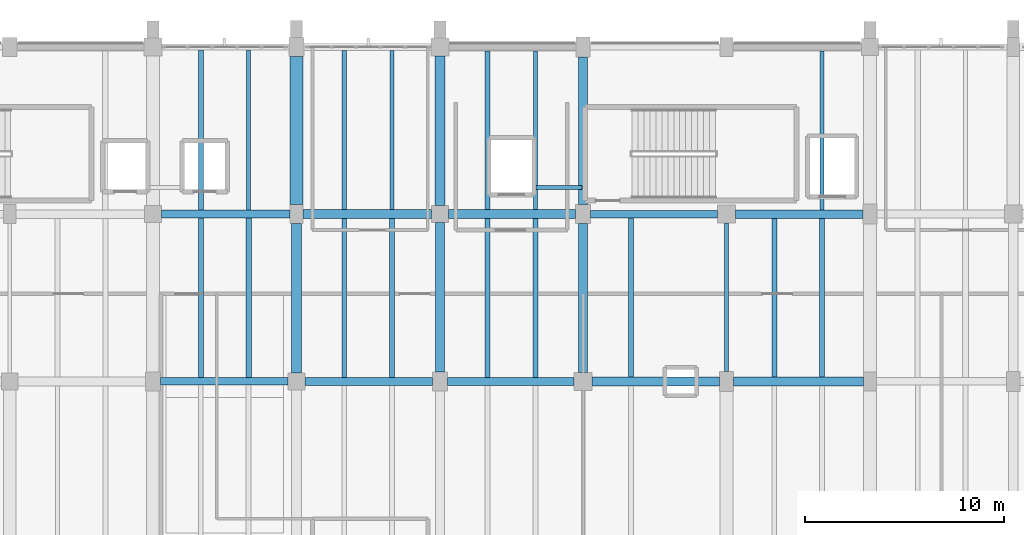
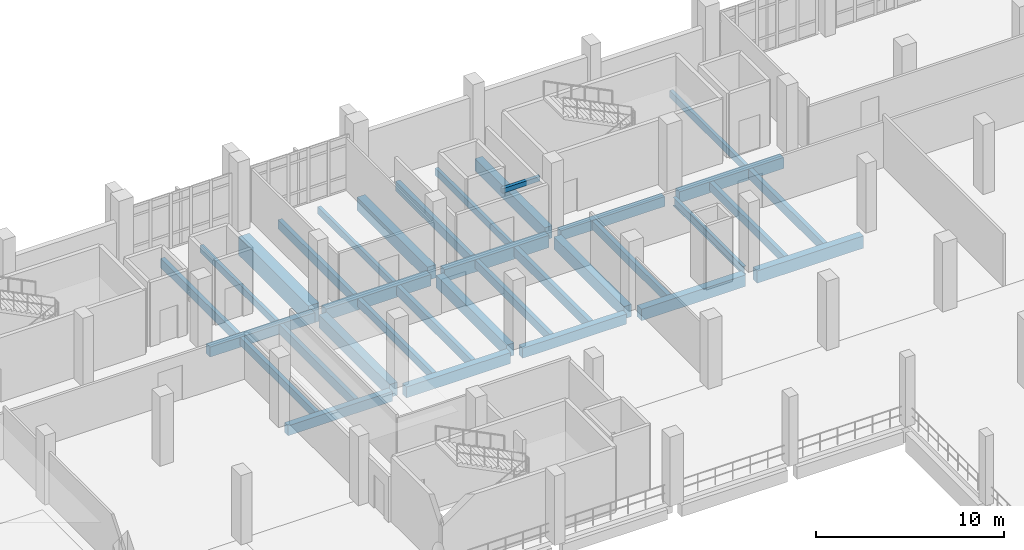
# One storey, part 56 of 134: 34 beams.
"""IFC4 building model written with IfcOpenShell, lengths in metres."""

import ifcopenshell
import ifcopenshell.guid

model = None  # the IFC model being written
_history = None  # IfcOwnerHistory: only IFC2X3 demands one
_inside = {}  # id of a spatial element -> (the spatial element, [elements in it])
_under = {}  # id of a project, library or spatial element -> (it, [spatial elements below it])
_declared = {}  # id of a project -> (the project, [libraries it declares])
_typed = {}  # id of a type object -> (the type object, [elements of that type])
_made_of = {}  # id of a material, layer set ... -> (it, [elements and type objects made of it])


def new_model(schema):
    """Start an empty IFC model of exactly this schema.

    Asked for "IFC4X3", IfcOpenShell would pick the latest addendum, in which some entities
    have other attributes; the version numbers below select the first issue.
    IFC2X3 requires an IfcOwnerHistory on every rooted entity: one is made here for all.
    """
    global model, _history
    if schema == "IFC4X3":
        model = ifcopenshell.file(schema_version=(4, 3, 0, 0))
    else:
        model = ifcopenshell.file(schema=schema)
    _inside.clear()
    _under.clear()
    _declared.clear()
    _typed.clear()
    _made_of.clear()
    _history = None
    if model.schema == "IFC2X3":
        org = make("IfcOrganization", Name="unknown")
        user = make(
            "IfcPersonAndOrganization",
            ThePerson=make("IfcPerson", FamilyName="unknown"),
            TheOrganization=org,
        )
        app = make(
            "IfcApplication",
            ApplicationDeveloper=org,
            Version="unknown",
            ApplicationFullName="unknown",
            ApplicationIdentifier="unknown",
        )
        _history = make(
            "IfcOwnerHistory",
            OwningUser=user,
            OwningApplication=app,
            ChangeAction="ADDED",
            CreationDate=0,
        )
    return model


def make(cls, **values):
    """One entity of the class cls with the attributes given. An attribute that is None is left unset."""
    return model.create_entity(
        cls, **{name: value for name, value in values.items() if value is not None}
    )


def rooted(cls, **values):
    """An entity with a GlobalId (a new one), such as an element, a storey or a relation."""
    return make(cls, GlobalId=ifcopenshell.guid.new(), OwnerHistory=_history, **values)


def si_unit(unit_type, name, prefix=None):
    """IfcSIUnit, for example si_unit("LENGTHUNIT", "METRE", prefix="MILLI")."""
    return make("IfcSIUnit", UnitType=unit_type, Prefix=prefix, Name=name)


def assignment(units):
    """IfcUnitAssignment: the units of a project."""
    return None if units is None else make("IfcUnitAssignment", Units=units)


def point(xyz):
    """IfcCartesianPoint."""
    return None if xyz is None else make("IfcCartesianPoint", Coordinates=xyz)


def direction(xyz):
    """IfcDirection."""
    return None if xyz is None else make("IfcDirection", DirectionRatios=xyz)


def frame(location, z_axis=None, x_axis=None):
    """IfcAxis2Placement3D, a coordinate frame: its origin and axes. An axis left out is left unset."""
    return make(
        "IfcAxis2Placement3D",
        Location=point(location),
        Axis=direction(z_axis),
        RefDirection=direction(x_axis),
    )


def frame_2d(location, x_axis=None):
    """IfcAxis2Placement2D, a coordinate frame in the plane: its origin and x axis."""
    return make(
        "IfcAxis2Placement2D", Location=point(location), RefDirection=direction(x_axis)
    )


def origin():
    """The frame at (0, 0, 0) with its axes left unset."""
    return frame((0.0, 0.0, 0.0))


def origin_2d():
    """The frame at (0, 0) in the plane with its x axis left unset."""
    return frame_2d((0.0, 0.0))


def place(relative_to, where):
    """IfcLocalPlacement: puts the frame where relative to a parent placement (None: the world)."""
    return make(
        "IfcLocalPlacement", PlacementRelTo=relative_to, RelativePlacement=where
    )


def context(
    kind, dimensions, precision=None, world=None, true_north=None, identifier=None
):
    """IfcGeometricRepresentationContext, for example the 3D "Model" context."""
    return make(
        "IfcGeometricRepresentationContext",
        ContextIdentifier=identifier,
        ContextType=kind,
        CoordinateSpaceDimension=dimensions,
        Precision=precision,
        WorldCoordinateSystem=world,
        TrueNorth=true_north,
    )


def subcontext(parent, identifier, kind, view, scale=None):
    """IfcGeometricRepresentationSubContext, for example "Body" below "Model"."""
    return make(
        "IfcGeometricRepresentationSubContext",
        ContextIdentifier=identifier,
        ContextType=kind,
        ParentContext=parent,
        TargetScale=scale,
        TargetView=view,
    )


def project(units=None, contexts=None):
    """IfcProject with its units and contexts."""
    return rooted(
        "IfcProject",
        Name="project",
        RepresentationContexts=contexts,
        UnitsInContext=assignment(units),
    )


def spatial(cls, under=None, at=None, **own):
    """A site, building, storey or space (cls), placed at a placement, below another one or the project."""
    s = rooted(cls, ObjectPlacement=at, **own)
    if under is not None:
        _under.setdefault(under.id(), (under, []))[1].append(s)
    return s


def profile(cls, at=None, kind="AREA", **sizes):
    """A parametric profile (cls). Its sizes go by their IFC names, for example OverallWidth=200.0."""
    return make(cls, ProfileType=kind, Position=at, **sizes)


def rectangle(**sizes):
    """IfcRectangleProfileDef."""
    return profile("IfcRectangleProfileDef", **sizes)


def i_section(**sizes):
    """IfcIShapeProfileDef."""
    return profile("IfcIShapeProfileDef", **sizes)


def extrude(swept, where, along, depth):
    """IfcExtrudedAreaSolid: the profile swept, set in the frame where, extruded along a direction by depth."""
    return make(
        "IfcExtrudedAreaSolid",
        SweptArea=swept,
        Position=where,
        ExtrudedDirection=direction(along),
        Depth=depth,
    )


def shape(context_of_items, identifier, shape_type, items):
    """IfcShapeRepresentation: the items that make up one representation, for example the "Body"."""
    return make(
        "IfcShapeRepresentation",
        ContextOfItems=context_of_items,
        RepresentationIdentifier=identifier,
        RepresentationType=shape_type,
        Items=items,
    )


def material(Name=None, Category=None):
    """IfcMaterial."""
    return make("IfcMaterial", Name=Name, Category=Category)


def material_profile(
    of_material, cross_section, Name=None, Category=None, Priority=None
):
    """IfcMaterialProfile: a cross section and its material."""
    return make(
        "IfcMaterialProfile",
        Name=Name,
        Material=of_material,
        Profile=cross_section,
        Priority=Priority,
        Category=Category,
    )


def profile_set(profiles, Name=None, composite=None):
    """IfcMaterialProfileSet."""
    return make(
        "IfcMaterialProfileSet",
        Name=Name,
        MaterialProfiles=profiles,
        CompositeProfile=composite,
    )


def made_of(thing, what):
    """Note that an element or type object is made of a material, layer set ...; save() writes the relation."""
    if what is not None:
        _made_of.setdefault(what.id(), (what, []))[1].append(thing)
    return thing


def type_object(cls, material=None, **own):
    """A type object (cls), such as IfcWallType, which elements share."""
    return made_of(rooted(cls, **own), material)


def element(
    cls,
    number,
    at=None,
    inside=None,
    cuts=None,
    type_object=None,
    material=None,
    context=None,
    identifier="Body",
    shape_type=None,
    held_by="IfcProductDefinitionShape",
    body=None,
    shapes=None,
    **own,
):
    """One element of the class cls, such as IfcWall. Its Tag is "e" and its number.

    at: its placement. inside: the storey or other place that contains it. cuts: it is an
    opening in that element (IfcRelVoidsElement). A single representation is given by context,
    identifier, shape_type and body (its items); several are given by shapes. held_by: the class
    of the entity that holds the representations. save() writes the other relations.
    """
    e = rooted(cls, Tag="e%d" % number, ObjectPlacement=at, **own)
    if body is not None:
        shapes = [shape(context, identifier, shape_type, body)]
    if shapes is not None:
        e.Representation = make(held_by, Representations=shapes)
    if inside is not None:
        _inside.setdefault(inside.id(), (inside, []))[1].append(e)
    if cuts is not None:
        rooted(
            "IfcRelVoidsElement", RelatingBuildingElement=cuts, RelatedOpeningElement=e
        )
    if type_object is not None:
        _typed.setdefault(type_object.id(), (type_object, []))[1].append(e)
    return made_of(e, material)


def aggregate(whole, parts):
    """IfcRelAggregates: a whole, such as a stair, and the parts it consists of."""
    return rooted("IfcRelAggregates", RelatingObject=whole, RelatedObjects=parts)


def save(model, path):
    """Write the relations noted so far, then the file.

    IfcRelAggregates (storeys below a building ...), IfcRelContainedInSpatialStructure (elements
    in a storey), IfcRelDefinesByType, IfcRelAssociatesMaterial and IfcRelDeclares: one each for
    every whole, place, type object, material and project.
    """
    for whole, parts in _under.values():
        aggregate(whole, parts)
    for where, things in _inside.values():
        rooted(
            "IfcRelContainedInSpatialStructure",
            RelatedElements=things,
            RelatingStructure=where,
        )
    for kind, things in _typed.values():
        rooted("IfcRelDefinesByType", RelatedObjects=things, RelatingType=kind)
    for what, things in _made_of.values():
        rooted("IfcRelAssociatesMaterial", RelatedObjects=things, RelatingMaterial=what)
    for by, libraries in _declared.values():
        rooted("IfcRelDeclares", RelatingContext=by, RelatedDefinitions=libraries)
    model.write(path)


model = new_model("IFC4")

# Units and contexts
model_context = context("Model", 3, precision=1e-05, world=origin(), true_north=direction((0.0, 1.0)))
body_context = subcontext(model_context, "Body", "Model", "MODEL_VIEW")
ifc_project = project(units=[si_unit("LENGTHUNIT", "METRE"), si_unit("AREAUNIT", "SQUARE_METRE"), si_unit("VOLUMEUNIT", "CUBIC_METRE"), si_unit("PLANEANGLEUNIT", "RADIAN"), si_unit("MASSUNIT", "GRAM", prefix="KILO")], contexts=[model_context])

# Site, building, storey
site_placement = place(None, origin())
site = spatial("IfcSite", under=ifc_project, at=site_placement, CompositionType="ELEMENT")
building_placement = place(site_placement, origin())
building = spatial("IfcBuilding", under=site, at=building_placement, Name="Kalluvel Institute of Natural Sciences", CompositionType="ELEMENT")
storey_placement = place(building_placement, frame((0.0, 0.0, 5.39990234375)))
storey = spatial("IfcBuildingStorey", under=building, at=storey_placement, Name="L01", CompositionType="ELEMENT", Elevation=5.39990234375)

# Beams
ifc_material_1 = material(Name="Steel E350 Grade 350", Category="steel")
ifc_material_profile_1 = material_profile(ifc_material_1, i_section(OverallWidth=0.18994140625, OverallDepth=0.550048828125, WebThickness=0.01123046875, FlangeThickness=0.019287109375, FilletRadius=0.01806640625, at=origin_2d()), Name="ISMB 550")
ifc_profile_set_1 = profile_set([ifc_material_profile_1], Name="Steel E350 Grade 350")
beam_type_1 = type_object("IfcBeamType", Name="BM-ISMB550", PredefinedType="BEAM", material=ifc_profile_set_1)
beam_1_placement = place(storey_placement, frame((71.60009765625, 111.699951171875, -0.594970703125), z_axis=(0.0, 1.0, 0.0), x_axis=(-1.0, 0.0, 0.0)))
element("IfcBeam", 1, at=beam_1_placement, inside=storey, type_object=beam_type_1, Name="L01 girder GIR-L01-NS-X716-Y1112", PredefinedType="BEAM", context=body_context, shape_type="SweptSolid", body=[
    extrude(i_section(OverallWidth=0.18994140625, OverallDepth=0.550048828125, WebThickness=0.01123046875, FlangeThickness=0.019287109375, FilletRadius=0.01806640625, at=origin_2d()), origin(), (0.0, 0.0, 1.0), 7.449951171875),
])
ifc_material_2 = material(Name="Concrete M40", Category="concrete")
ifc_material_profile_2 = material_profile(ifc_material_2, rectangle(XDim=0.3798828125, YDim=0.639892578125, at=origin_2d()), Name="RCB 380x640")
ifc_profile_set_2 = profile_set([ifc_material_profile_2], Name="Concrete M40")
beam_type_2 = type_object("IfcBeamType", Name="BM-RC380x640", PredefinedType="BEAM", material=ifc_profile_set_2)
beam_2_placement = place(storey_placement, frame((43.175048828125, 111.199951171875, -0.639892578125), z_axis=(1.0, 0.0, 0.0), x_axis=(0.0, 1.0, 0.0)))
element("IfcBeam", 2, at=beam_2_placement, inside=storey, type_object=beam_type_2, Name="L01 girder GIR-L01-EW-X428-Y1112", PredefinedType="BEAM", context=body_context, shape_type="SweptSolid", body=[
    extrude(rectangle(XDim=0.3798828125, YDim=0.639892578125, at=origin_2d()), origin(), (0.0, 0.0, 1.0), 6.39990234375),
])
beam_3_placement = place(storey_placement, frame((64.77490234375, 119.60009765625, -0.639892578125), z_axis=(1.0, 0.0, 0.0), x_axis=(0.0, 1.0, 0.0)))
element("IfcBeam", 3, at=beam_3_placement, inside=storey, type_object=beam_type_2, Name="L01 girder GIR-L01-EW-X644-Y1196", PredefinedType="BEAM", context=body_context, shape_type="SweptSolid", body=[
    extrude(rectangle(XDim=0.3798828125, YDim=0.639892578125, at=origin_2d()), origin(), (0.0, 0.0, 1.0), 6.375),
])
ifc_material_profile_3 = material_profile(ifc_material_2, rectangle(XDim=0.39990234375, YDim=0.64990234375, at=origin_2d()), Name="RCB 400x650")
ifc_profile_set_3 = profile_set([ifc_material_profile_3], Name="Concrete M40")
beam_type_3 = type_object("IfcBeamType", Name="BM-RC400x650", PredefinedType="BEAM", material=ifc_profile_set_3)
beam_4_placement = place(storey_placement, frame((57.574951171875, 111.199951171875, -0.64501953125), z_axis=(1.0, 0.0, 0.0), x_axis=(0.0, 1.0, 0.0)))
element("IfcBeam", 4, at=beam_4_placement, inside=storey, type_object=beam_type_3, Name="L01 girder GIR-L01-EW-X572-Y1112", PredefinedType="BEAM", context=body_context, shape_type="SweptSolid", body=[
    extrude(rectangle(XDim=0.39990234375, YDim=0.64990234375, at=origin_2d()), origin(), (0.0, 0.0, 1.0), 6.375),
])
beam_5_placement = place(storey_placement, frame((43.22509765625, 119.60009765625, -0.64501953125), z_axis=(1.0, 0.0, 0.0), x_axis=(0.0, 1.0, 0.0)))
element("IfcBeam", 5, at=beam_5_placement, inside=storey, type_object=beam_type_3, Name="L01 girder GIR-L01-EW-X428-Y1196", PredefinedType="BEAM", context=body_context, shape_type="SweptSolid", body=[
    extrude(rectangle(XDim=0.39990234375, YDim=0.64990234375, at=origin_2d()), origin(), (0.0, 0.0, 1.0), 6.449951171875),
])
ifc_material_profile_4 = material_profile(ifc_material_2, rectangle(XDim=0.419921875, YDim=0.719970703125, at=origin_2d()), Name="RCB 420x720")
ifc_profile_set_4 = profile_set([ifc_material_profile_4], Name="Concrete M40")
beam_type_4 = type_object("IfcBeamType", Name="BM-RC420x720", PredefinedType="BEAM", material=ifc_profile_set_4)
for number, where, z_axis, x_axis, name in (
    (6, (50.425048828125, 111.199951171875, -0.679931640625), (1.0, 0.0, 0.0), (0.0, 1.0, 0.0), "L01 girder GIR-L01-EW-X500-Y1112"),
    (7, (72.050048828125, 119.60009765625, -0.679931640625), (1.0, 0.0, 0.0), (0.0, 1.0, 0.0), "L01 girder GIR-L01-EW-X716-Y1196"),
):
    element("IfcBeam", number, at=place(storey_placement, frame(where, z_axis=z_axis, x_axis=x_axis)), inside=storey, type_object=beam_type_4, Name=name, PredefinedType="BEAM", context=body_context, shape_type="SweptSolid", body=[
        extrude(rectangle(XDim=0.419921875, YDim=0.719970703125, at=origin_2d()), origin(), (0.0, 0.0, 1.0), 6.39990234375),
    ])
ifc_material_profile_5 = material_profile(ifc_material_2, rectangle(XDim=0.449951171875, YDim=0.75, at=origin_2d()), Name="RCB 450x750")
ifc_profile_set_5 = profile_set([ifc_material_profile_5], Name="Concrete M40")
beam_type_5 = type_object("IfcBeamType", Name="BM-RC450x750", PredefinedType="BEAM", material=ifc_profile_set_5)
beam_6_placement = place(storey_placement, frame((64.85009765625, 111.199951171875, -0.69482421875), z_axis=(1.0, 0.0, 0.0), x_axis=(0.0, 1.0, 0.0)))
element("IfcBeam", 8, at=beam_6_placement, inside=storey, type_object=beam_type_5, Name="L01 girder GIR-L01-EW-X644-Y1112", PredefinedType="BEAM", context=body_context, shape_type="SweptSolid", body=[
    extrude(rectangle(XDim=0.449951171875, YDim=0.75, at=origin_2d()), origin(), (0.0, 0.0, 1.0), 6.39990234375),
])
beam_7_placement = place(storey_placement, frame((50.324951171875, 119.60009765625, -0.69482421875), z_axis=(1.0, 0.0, 0.0), x_axis=(0.0, 1.0, 0.0)))
element("IfcBeam", 9, at=beam_7_placement, inside=storey, type_object=beam_type_5, Name="L01 girder GIR-L01-EW-X500-Y1196", PredefinedType="BEAM", context=body_context, shape_type="SweptSolid", body=[
    extrude(rectangle(XDim=0.449951171875, YDim=0.75, at=origin_2d()), origin(), (0.0, 0.0, 1.0), 6.449951171875),
])
ifc_material_profile_6 = material_profile(ifc_material_2, rectangle(XDim=0.449951171875, YDim=0.800048828125, at=origin_2d()), Name="RCB 450x800")
ifc_profile_set_6 = profile_set([ifc_material_profile_6], Name="Concrete M40")
beam_type_6 = type_object("IfcBeamType", Name="BM-RC450x800", PredefinedType="BEAM", material=ifc_profile_set_6)
beam_8_placement = place(storey_placement, frame((71.949951171875, 111.199951171875, -0.719970703125), z_axis=(1.0, 0.0, 0.0), x_axis=(0.0, 1.0, 0.0)))
element("IfcBeam", 10, at=beam_8_placement, inside=storey, type_object=beam_type_6, Name="L01 girder GIR-L01-EW-X716-Y1112", PredefinedType="BEAM", context=body_context, shape_type="SweptSolid", body=[
    extrude(rectangle(XDim=0.449951171875, YDim=0.800048828125, at=origin_2d()), origin(), (0.0, 0.0, 1.0), 6.525146484375),
])
beam_9_placement = place(storey_placement, frame((57.625, 119.60009765625, -0.719970703125), z_axis=(1.0, 0.0, 0.0), x_axis=(0.0, 1.0, 0.0)))
element("IfcBeam", 11, at=beam_9_placement, inside=storey, type_object=beam_type_6, Name="L01 girder GIR-L01-EW-X572-Y1196", PredefinedType="BEAM", context=body_context, shape_type="SweptSolid", body=[
    extrude(rectangle(XDim=0.449951171875, YDim=0.800048828125, at=origin_2d()), origin(), (0.0, 0.0, 1.0), 6.39990234375),
])
beam_10_placement = place(storey_placement, frame((57.199951171875, 111.675048828125, -0.719970703125), z_axis=(0.0, 1.0, 0.0), x_axis=(-1.0, 0.0, 0.0)))
element("IfcBeam", 12, at=beam_10_placement, inside=storey, type_object=beam_type_6, Name="L01 girder GIR-L01-NS-X572-Y1112", PredefinedType="BEAM", context=body_context, shape_type="SweptSolid", body=[
    extrude(rectangle(XDim=0.449951171875, YDim=0.800048828125, at=origin_2d()), origin(), (0.0, 0.0, 1.0), 7.5),
])
beam_11_placement = place(storey_placement, frame((64.39990234375, 111.64990234375, -0.719970703125), z_axis=(0.0, 1.0, 0.0), x_axis=(-1.0, 0.0, 0.0)))
element("IfcBeam", 13, at=beam_11_placement, inside=storey, type_object=beam_type_6, Name="L01 girder GIR-L01-NS-X644-Y1112", PredefinedType="BEAM", context=body_context, shape_type="SweptSolid", body=[
    extrude(rectangle(XDim=0.449951171875, YDim=0.800048828125, at=origin_2d()), origin(), (0.0, 0.0, 1.0), 7.47509765625),
])
beam_12_placement = place(storey_placement, frame((64.39990234375, 120.074951171875, -0.719970703125), z_axis=(0.0, 1.0, 0.0), x_axis=(-1.0, 0.0, 0.0)))
element("IfcBeam", 14, at=beam_12_placement, inside=storey, type_object=beam_type_6, Name="L01 girder GIR-L01-NS-X644-Y1196", PredefinedType="BEAM", context=body_context, shape_type="SweptSolid", body=[
    extrude(rectangle(XDim=0.449951171875, YDim=0.800048828125, at=origin_2d()), origin(), (0.0, 0.0, 1.0), 7.425048828125),
])
ifc_material_3 = material(Name="Concrete M50", Category="concrete")
ifc_material_profile_7 = material_profile(ifc_material_3, rectangle(XDim=0.5, YDim=0.85009765625, at=origin_2d()), Name="RCB 500x850")
ifc_profile_set_7 = profile_set([ifc_material_profile_7], Name="Concrete M50")
beam_type_7 = type_object("IfcBeamType", Name="BM-RC500x850", PredefinedType="BEAM", material=ifc_profile_set_7)
beam_13_placement = place(storey_placement, frame((50.0, 111.625, -0.744873046875), z_axis=(0.0, 1.0, 0.0), x_axis=(-1.0, 0.0, 0.0)))
element("IfcBeam", 15, at=beam_13_placement, inside=storey, type_object=beam_type_7, Name="L01 girder GIR-L01-NS-X500-Y1112", PredefinedType="BEAM", context=body_context, shape_type="SweptSolid", body=[
    extrude(rectangle(XDim=0.5, YDim=0.85009765625, at=origin_2d()), origin(), (0.0, 0.0, 1.0), 7.5),
])
beam_14_placement = place(storey_placement, frame((57.199951171875, 120.02490234375, -0.744873046875), z_axis=(0.0, 1.0, 0.0), x_axis=(-1.0, 0.0, 0.0)))
element("IfcBeam", 16, at=beam_14_placement, inside=storey, type_object=beam_type_7, Name="L01 girder GIR-L01-NS-X572-Y1196", PredefinedType="BEAM", context=body_context, shape_type="SweptSolid", body=[
    extrude(rectangle(XDim=0.5, YDim=0.85009765625, at=origin_2d()), origin(), (0.0, 0.0, 1.0), 7.525146484375),
])
ifc_material_profile_8 = material_profile(ifc_material_3, rectangle(XDim=0.64990234375, YDim=1.199951171875, at=origin_2d()), Name="RCB 650x1200")
ifc_profile_set_8 = profile_set([ifc_material_profile_8], Name="Concrete M50")
beam_type_8 = type_object("IfcBeamType", Name="BM-RC650x1200", PredefinedType="BEAM", material=ifc_profile_set_8)
beam_15_placement = place(storey_placement, frame((50.0, 120.074951171875, -0.919921875), z_axis=(0.0, 1.0, 0.0), x_axis=(-1.0, 0.0, 0.0)))
element("IfcBeam", 17, at=beam_15_placement, inside=storey, type_object=beam_type_8, Name="L01 girder GIR-L01-NS-X500-Y1196", PredefinedType="BEAM", context=body_context, shape_type="SweptSolid", body=[
    extrude(rectangle(XDim=0.64990234375, YDim=1.199951171875, at=origin_2d()), origin(), (0.0, 0.0, 1.0), 7.449951171875),
])
ifc_material_4 = material(Name="Sadarahalli Granite Precast Concrete M45", Category="masonry")
ifc_material_profile_9 = material_profile(ifc_material_4, rectangle(XDim=0.199951171875, YDim=0.300048828125, at=origin_2d()), Name="LIN 200x300")
ifc_profile_set_9 = profile_set([ifc_material_profile_9], Name="Sadarahalli Granite Precast Concrete M45")
beam_type_9 = type_object("IfcBeamType", Name="LN-200x300-INT", PredefinedType="LINTEL", material=ifc_profile_set_9)
beam_16_placement = place(storey_placement, frame((62.0400390625, 120.949951171875, 2.35009765625), z_axis=(1.0, 0.0, 0.0), x_axis=(0.0, 1.0, 0.0)))
element("IfcBeam", 18, at=beam_16_placement, inside=storey, type_object=beam_type_9, Name="L01 core coupling lintel B", PredefinedType="LINTEL", context=body_context, shape_type="SweptSolid", body=[
    extrude(rectangle(XDim=0.199951171875, YDim=0.300048828125, at=origin_2d()), origin(), (0.0, 0.0, 1.0), 2.2900390625),
])
ifc_material_profile_10 = material_profile(ifc_material_2, rectangle(XDim=0.199951171875, YDim=0.4599609375, at=origin_2d()), Name="WAF 200x460")
ifc_profile_set_10 = profile_set([ifc_material_profile_10], Name="Concrete M40")
beam_type_10 = type_object("IfcBeamType", Name="WJ-200x460", PredefinedType="JOIST", material=ifc_profile_set_10)
beam_17_placement = place(storey_placement, frame((47.60009765625, 119.800048828125, -0.5498046875), z_axis=(0.0, 1.0, 0.0), x_axis=(-1.0, 0.0, 0.0)))
element("IfcBeam", 19, at=beam_17_placement, inside=storey, type_object=beam_type_10, Name="L01 waffle joist RIB-L01-0093", PredefinedType="JOIST", context=body_context, shape_type="SweptSolid", body=[
    extrude(rectangle(XDim=0.199951171875, YDim=0.4599609375, at=origin_2d()), origin(), (0.0, 0.0, 1.0), 8.050048828125),
])
beam_18_placement = place(storey_placement, frame((54.800048828125, 119.824951171875, -0.5498046875), z_axis=(0.0, 1.0, 0.0), x_axis=(-1.0, 0.0, 0.0)))
element("IfcBeam", 20, at=beam_18_placement, inside=storey, type_object=beam_type_10, Name="L01 waffle joist RIB-L01-0099", PredefinedType="JOIST", context=body_context, shape_type="SweptSolid", body=[
    extrude(rectangle(XDim=0.199951171875, YDim=0.4599609375, at=origin_2d()), origin(), (0.0, 0.0, 1.0), 8.0),
])
beam_19_placement = place(storey_placement, frame((62.0, 119.824951171875, -0.5498046875), z_axis=(0.0, 1.0, 0.0), x_axis=(-1.0, 0.0, 0.0)))
element("IfcBeam", 21, at=beam_19_placement, inside=storey, type_object=beam_type_10, Name="L01 waffle joist RIB-L01-0105", PredefinedType="JOIST", context=body_context, shape_type="SweptSolid", body=[
    extrude(rectangle(XDim=0.199951171875, YDim=0.4599609375, at=origin_2d()), origin(), (0.0, 0.0, 1.0), 7.97509765625),
])
beam_20_placement = place(storey_placement, frame((76.39990234375, 119.81005859375, -0.5498046875), z_axis=(0.0, 1.0, 0.0), x_axis=(-1.0, 0.0, 0.0)))
element("IfcBeam", 22, at=beam_20_placement, inside=storey, type_object=beam_type_10, Name="L01 waffle joist RIB-L01-0112", PredefinedType="JOIST", context=body_context, shape_type="SweptSolid", body=[
    extrude(rectangle(XDim=0.199951171875, YDim=0.4599609375, at=origin_2d()), origin(), (0.0, 0.0, 1.0), 7.989990234375),
])
ifc_material_profile_11 = material_profile(ifc_material_2, rectangle(XDim=0.239990234375, YDim=0.52001953125, at=origin_2d()), Name="WAF 240x520")
ifc_profile_set_11 = profile_set([ifc_material_profile_11], Name="Concrete M40")
beam_type_11 = type_object("IfcBeamType", Name="WJ-240x520", PredefinedType="JOIST", material=ifc_profile_set_11)
beam_21_placement = place(storey_placement, frame((45.199951171875, 111.389892578125, -0.579833984375), z_axis=(0.0, 1.0, 0.0), x_axis=(-1.0, 0.0, 0.0)))
element("IfcBeam", 23, at=beam_21_placement, inside=storey, type_object=beam_type_11, Name="L01 waffle joist RIB-L01-0090", PredefinedType="JOIST", context=body_context, shape_type="SweptSolid", body=[
    extrude(rectangle(XDim=0.239990234375, YDim=0.52001953125, at=origin_2d()), origin(), (0.0, 0.0, 1.0), 8.010009765625),
])
beam_22_placement = place(storey_placement, frame((52.39990234375, 111.409912109375, -0.579833984375), z_axis=(0.0, 1.0, 0.0), x_axis=(-1.0, 0.0, 0.0)))
element("IfcBeam", 24, at=beam_22_placement, inside=storey, type_object=beam_type_11, Name="L01 waffle joist RIB-L01-0096", PredefinedType="JOIST", context=body_context, shape_type="SweptSolid", body=[
    extrude(rectangle(XDim=0.239990234375, YDim=0.52001953125, at=origin_2d()), origin(), (0.0, 0.0, 1.0), 7.965087890625),
])
ifc_material_profile_12 = material_profile(ifc_material_2, rectangle(XDim=0.25, YDim=0.550048828125, at=origin_2d()), Name="WAF 250x550")
ifc_profile_set_12 = profile_set([ifc_material_profile_12], Name="Concrete M40")
beam_type_12 = type_object("IfcBeamType", Name="WJ-250x550", PredefinedType="JOIST", material=ifc_profile_set_12)
beam_23_placement = place(storey_placement, frame((59.60009765625, 111.39990234375, -0.594970703125), z_axis=(0.0, 1.0, 0.0), x_axis=(-1.0, 0.0, 0.0)))
element("IfcBeam", 25, at=beam_23_placement, inside=storey, type_object=beam_type_12, Name="L01 waffle joist RIB-L01-0102", PredefinedType="JOIST", context=body_context, shape_type="SweptSolid", body=[
    extrude(rectangle(XDim=0.25, YDim=0.550048828125, at=origin_2d()), origin(), (0.0, 0.0, 1.0), 7.97509765625),
])
beam_24_placement = place(storey_placement, frame((66.800048828125, 111.425048828125, -0.594970703125), z_axis=(0.0, 1.0, 0.0), x_axis=(-1.0, 0.0, 0.0)))
element("IfcBeam", 26, at=beam_24_placement, inside=storey, type_object=beam_type_12, Name="L01 waffle joist RIB-L01-0107", PredefinedType="JOIST", context=body_context, shape_type="SweptSolid", body=[
    extrude(rectangle(XDim=0.25, YDim=0.550048828125, at=origin_2d()), origin(), (0.0, 0.0, 1.0), 7.98486328125),
])
beam_25_placement = place(storey_placement, frame((74.0, 111.425048828125, -0.594970703125), z_axis=(0.0, 1.0, 0.0), x_axis=(-1.0, 0.0, 0.0)))
element("IfcBeam", 27, at=beam_25_placement, inside=storey, type_object=beam_type_12, Name="L01 waffle joist RIB-L01-0110", PredefinedType="JOIST", context=body_context, shape_type="SweptSolid", body=[
    extrude(rectangle(XDim=0.25, YDim=0.550048828125, at=origin_2d()), origin(), (0.0, 0.0, 1.0), 7.96484375),
])
ifc_material_profile_13 = material_profile(ifc_material_2, rectangle(XDim=0.25, YDim=0.60009765625, at=origin_2d()), Name="WAF 250x600")
ifc_profile_set_13 = profile_set([ifc_material_profile_13], Name="Concrete M40")
beam_type_13 = type_object("IfcBeamType", Name="WJ-250x600", PredefinedType="JOIST", material=ifc_profile_set_13)
beam_26_placement = place(storey_placement, frame((45.199951171875, 119.800048828125, -0.619873046875), z_axis=(0.0, 1.0, 0.0), x_axis=(-1.0, 0.0, 0.0)))
element("IfcBeam", 28, at=beam_26_placement, inside=storey, type_object=beam_type_13, Name="L01 waffle joist RIB-L01-0092", PredefinedType="JOIST", context=body_context, shape_type="SweptSolid", body=[
    extrude(rectangle(XDim=0.25, YDim=0.60009765625, at=origin_2d()), origin(), (0.0, 0.0, 1.0), 8.050048828125),
])
beam_27_placement = place(storey_placement, frame((52.39990234375, 119.824951171875, -0.619873046875), z_axis=(0.0, 1.0, 0.0), x_axis=(-1.0, 0.0, 0.0)))
element("IfcBeam", 29, at=beam_27_placement, inside=storey, type_object=beam_type_13, Name="L01 waffle joist RIB-L01-0098", PredefinedType="JOIST", context=body_context, shape_type="SweptSolid", body=[
    extrude(rectangle(XDim=0.25, YDim=0.60009765625, at=origin_2d()), origin(), (0.0, 0.0, 1.0), 8.0),
])
ifc_material_profile_14 = material_profile(ifc_material_3, rectangle(XDim=0.260009765625, YDim=0.6201171875, at=origin_2d()), Name="WAF 260x620")
ifc_profile_set_14 = profile_set([ifc_material_profile_14], Name="Concrete M50")
beam_type_14 = type_object("IfcBeamType", Name="WJ-260x620", PredefinedType="JOIST", material=ifc_profile_set_14)
beam_28_placement = place(storey_placement, frame((47.60009765625, 111.389892578125, -0.6298828125), z_axis=(0.0, 1.0, 0.0), x_axis=(-1.0, 0.0, 0.0)))
element("IfcBeam", 30, at=beam_28_placement, inside=storey, type_object=beam_type_14, Name="L01 waffle joist RIB-L01-0091", PredefinedType="JOIST", context=body_context, shape_type="SweptSolid", body=[
    extrude(rectangle(XDim=0.260009765625, YDim=0.6201171875, at=origin_2d()), origin(), (0.0, 0.0, 1.0), 8.010009765625),
])
beam_29_placement = place(storey_placement, frame((54.800048828125, 111.409912109375, -0.6298828125), z_axis=(0.0, 1.0, 0.0), x_axis=(-1.0, 0.0, 0.0)))
element("IfcBeam", 31, at=beam_29_placement, inside=storey, type_object=beam_type_14, Name="L01 waffle joist RIB-L01-0097", PredefinedType="JOIST", context=body_context, shape_type="SweptSolid", body=[
    extrude(rectangle(XDim=0.260009765625, YDim=0.6201171875, at=origin_2d()), origin(), (0.0, 0.0, 1.0), 7.965087890625),
])
for number, where, z_axis, x_axis, name in (
    (32, (62.0, 111.39990234375, -0.6298828125), (0.0, 1.0, 0.0), (-1.0, 0.0, 0.0), "L01 waffle joist RIB-L01-0103"),
    (33, (59.60009765625, 119.824951171875, -0.6298828125), (0.0, 1.0, 0.0), (-1.0, 0.0, 0.0), "L01 waffle joist RIB-L01-0104"),
):
    element("IfcBeam", number, at=place(storey_placement, frame(where, z_axis=z_axis, x_axis=x_axis)), inside=storey, type_object=beam_type_14, Name=name, PredefinedType="JOIST", context=body_context, shape_type="SweptSolid", body=[
        extrude(rectangle(XDim=0.260009765625, YDim=0.6201171875, at=origin_2d()), origin(), (0.0, 0.0, 1.0), 7.97509765625),
    ])
beam_30_placement = place(storey_placement, frame((76.39990234375, 111.425048828125, -0.6298828125), z_axis=(0.0, 1.0, 0.0), x_axis=(-1.0, 0.0, 0.0)))
element("IfcBeam", 34, at=beam_30_placement, inside=storey, type_object=beam_type_14, Name="L01 waffle joist RIB-L01-0111", PredefinedType="JOIST", context=body_context, shape_type="SweptSolid", body=[
    extrude(rectangle(XDim=0.260009765625, YDim=0.6201171875, at=origin_2d()), origin(), (0.0, 0.0, 1.0), 7.96484375),
])

save(model, "model.ifc")
